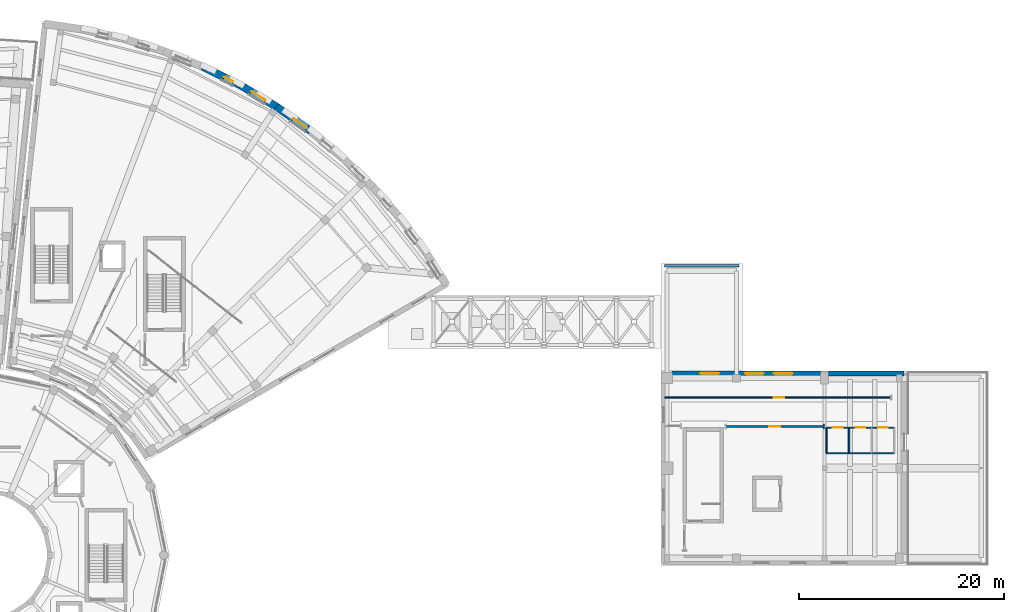
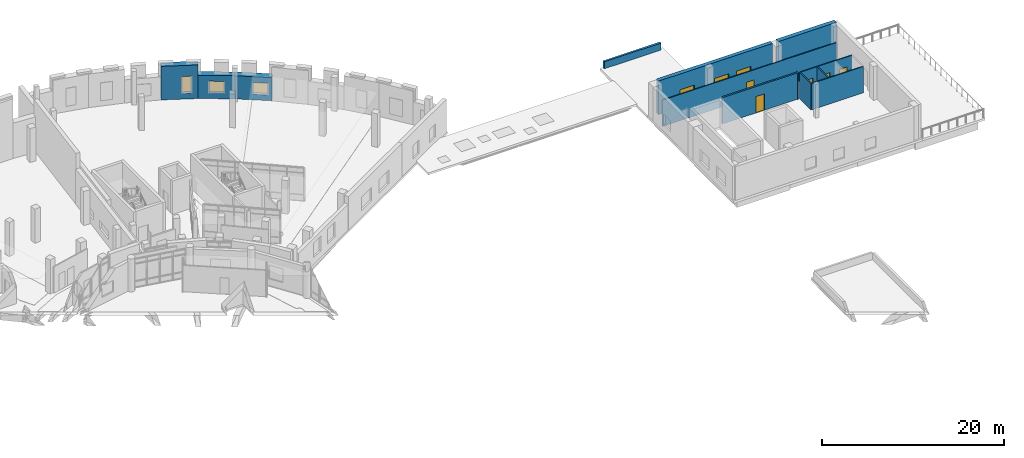
# One storey, part 39 of 49: 13 walls, 6 windows, 5 doors, 11 openings.
"""IFC4 building model written with IfcOpenShell, lengths in metres."""

from ifc_helpers import new_model, si_unit, direction, frame, frame_2d, origin, place, context, subcontext, project, spatial, rectangle, extrude, material, layer, layer_set, type_object, element, fill, save


model = new_model("IFC4")

# Units and contexts
model_context = context("Model", 3, precision=1e-05, world=origin(), true_north=direction((0.0, 1.0)))
body_context = subcontext(model_context, "Body", "Model", "MODEL_VIEW")
ifc_project = project(units=[si_unit("LENGTHUNIT", "METRE"), si_unit("AREAUNIT", "SQUARE_METRE"), si_unit("VOLUMEUNIT", "CUBIC_METRE"), si_unit("PLANEANGLEUNIT", "RADIAN"), si_unit("MASSUNIT", "GRAM", prefix="KILO")], contexts=[model_context])

# Site, building, storey
site_placement = place(None, origin())
site = spatial("IfcSite", under=ifc_project, at=site_placement, CompositionType="ELEMENT")
building_placement = place(site_placement, origin())
building = spatial("IfcBuilding", under=site, at=building_placement, Name="Soyqirgoq Riverine Aquarium", CompositionType="ELEMENT")
storey_placement = place(building_placement, frame((0.0, 0.0, 15.0)))
storey = spatial("IfcBuildingStorey", under=building, at=storey_placement, Name="L04", CompositionType="ELEMENT", Elevation=15.0)

# Wall
ifc_material_1 = material(Name="Precast concrete C40/50", Category="concrete")
ifc_layer_1 = layer(ifc_material_1, 0.260009765625)
ifc_layer_set_1 = layer_set([ifc_layer_1], Name="Precast concrete C40/50")
wall_type_1 = type_object("IfcWallType", Name="ParapetWall_260", PredefinedType="PARAPET", material=ifc_layer_set_1)
wall_1_placement = place(storey_placement, frame((122.3798828125, 85.280029296875, 0.0), z_axis=(0.0, 0.0, 1.0), x_axis=(1.0, 0.0, 0.0)))
element("IfcWall", 1, at=wall_1_placement, inside=storey, type_object=wall_type_1, Name="L04 Roof Parapet Upstand 005", PredefinedType="PARAPET", context=body_context, shape_type="SweptSolid", body=[
    extrude(rectangle(XDim=7.240234375, YDim=0.260009765625, at=frame_2d((3.6201171875, 0.0))), origin(), (0.0, 0.0, 1.0), 0.949951171875),
])

# Wall, opening, door
ifc_material_2 = material(Name="Lightweight steel-stud gypsum partition", Category="steel")
ifc_layer_2 = layer(ifc_material_2, 0.1201171875)
ifc_layer_set_2 = layer_set([ifc_layer_2], Name="Lightweight steel-stud gypsum partition")
wall_type_2 = type_object("IfcWallType", Name="PartitionWall_120_Std", PredefinedType="PARTITIONING", material=ifc_layer_set_2)
wall_2_placement = place(storey_placement, frame((144.5, 72.39990234375, 0.0), z_axis=(0.0, 0.0, 1.0), x_axis=(-1.0, 0.0, 0.0)))
wall_2 = element("IfcWall", 2, at=wall_2_placement, inside=storey, type_object=wall_type_2, Name="Environmental Plant Corridor Partition Wall", PredefinedType="PARTITIONING", context=body_context, shape_type="SweptSolid", body=[
    extrude(rectangle(XDim=22.1298828125, YDim=0.1201171875, at=frame_2d((11.06494140625, 0.0))), origin(), (0.0, 0.0, 1.0), 3.550048828125),
])
opening_1_placement = place(wall_2_placement, frame((10.449951171875, 0.0, 0.0)))
opening_1 = element("IfcOpeningElement", 3, at=opening_1_placement, cuts=wall_2, Name="Opening ID-03", PredefinedType="OPENING", context=body_context, shape_type="SweptSolid", body=[
    extrude(rectangle(XDim=1.0, YDim=2.199951171875, at=frame_2d((0.5, 1.10009765625))), frame((0.0, 0.070068359375, 0.0), z_axis=(0.0, -1.0, 0.0), x_axis=(1.0, 0.0, 0.0)), (0.0, 0.0, 1.0), 0.14013671875),
])
ifc_material_3 = material(Name="Solid-core ash veneer room door", Category="wood")
door_type_1 = type_object("IfcDoorType", Name="RoomDoor_1000x2200", OperationType="NOTDEFINED", PredefinedType="DOOR", material=ifc_material_3)
door_1_placement = place(opening_1_placement, origin())
door_1 = element("IfcDoor", 4, at=door_1_placement, inside=storey, type_object=door_type_1, Name="IDR-V7-L04-0242 Environmental Plant Corridor Door", OperationType="SINGLE_SWING_RIGHT", OverallHeight=2.199951171875, OverallWidth=1.0, PredefinedType="DOOR", context=body_context, shape_type="SweptSolid", body=[
    extrude(rectangle(XDim=1.0, YDim=2.199951171875, at=frame_2d((0.5, 1.10009765625))), frame((0.0, 0.02490234375, 0.0), z_axis=(0.0, -1.0, 0.0), x_axis=(1.0, 0.0, 0.0)), (0.0, 0.0, 1.0), 0.050048828125),
])
fill(opening_1, door_1)

# Wall
wall_3_placement = place(storey_placement, frame((137.919921875, 69.780029296875, 0.0), z_axis=(0.0, 0.0, 1.0), x_axis=(0.0, -1.0, 0.0)))
element("IfcWall", 5, at=wall_3_placement, inside=storey, type_object=wall_type_2, Name="V7 L04 Jamb Return Pier", PredefinedType="PARTITIONING", context=body_context, shape_type="SweptSolid", body=[
    extrude(rectangle(XDim=0.43994140625, YDim=0.1201171875, at=frame_2d((0.219970703125, 0.0))), origin(), (0.0, 0.0, 1.0), 3.550048828125),
])

# Wall, openings, doors
ifc_material_4 = material(Name="Moisture-resistant cement-board wet-room partition", Category="gypsum")
ifc_layer_3 = layer(ifc_material_4, 0.125)
ifc_layer_set_3 = layer_set([ifc_layer_3], Name="Moisture-resistant cement-board wet-room partition")
wall_type_3 = type_object("IfcWallType", Name="PartitionWall_125_Wet", PredefinedType="PARTITIONING", material=ifc_layer_set_3)
wall_4_placement = place(storey_placement, frame((138.199951171875, 69.449951171875, 0.0), z_axis=(0.0, 0.0, 1.0), x_axis=(1.0, 0.0, 0.0)))
wall_4 = element("IfcWall", 6, at=wall_4_placement, inside=storey, type_object=wall_type_3, Name="V7 L04 WC Suite Front Wall", PredefinedType="PARTITIONING", context=body_context, shape_type="SweptSolid", body=[
    extrude(rectangle(XDim=6.60009765625, YDim=0.125, at=frame_2d((3.300048828125, 0.0))), origin(), (0.0, 0.0, 1.0), 3.550048828125),
])
opening_2_placement = place(wall_4_placement, frame((0.60009765625, 0.0, 0.0)))
opening_2 = element("IfcOpeningElement", 7, at=opening_2_placement, cuts=wall_4, Name="Opening ID-05", PredefinedType="OPENING", context=body_context, shape_type="SweptSolid", body=[
    extrude(rectangle(XDim=1.0, YDim=2.199951171875, at=frame_2d((0.5, 1.10009765625))), frame((0.0, 0.072509765625, 0.0), z_axis=(0.0, -1.0, 0.0), x_axis=(1.0, 0.0, 0.0)), (0.0, 0.0, 1.0), 0.14501953125),
])
opening_3_placement = place(wall_4_placement, frame((2.824951171875, 0.0, 0.0)))
opening_3 = element("IfcOpeningElement", 8, at=opening_3_placement, cuts=wall_4, Name="Opening ID-06", PredefinedType="OPENING", context=body_context, shape_type="SweptSolid", body=[
    extrude(rectangle(XDim=0.949951171875, YDim=2.199951171875, at=frame_2d((0.47509765625, 1.10009765625))), frame((0.0, 0.072509765625, 0.0), z_axis=(0.0, -1.0, 0.0), x_axis=(1.0, 0.0, 0.0)), (0.0, 0.0, 1.0), 0.14501953125),
])
opening_4_placement = place(wall_4_placement, frame((5.02490234375, 0.0, 0.0)))
opening_4 = element("IfcOpeningElement", 9, at=opening_4_placement, cuts=wall_4, Name="Opening ID-06", PredefinedType="OPENING", context=body_context, shape_type="SweptSolid", body=[
    extrude(rectangle(XDim=0.949951171875, YDim=2.199951171875, at=frame_2d((0.47509765625, 1.10009765625))), frame((0.0, 0.072509765625, 0.0), z_axis=(0.0, -1.0, 0.0), x_axis=(1.0, 0.0, 0.0)), (0.0, 0.0, 1.0), 0.14501953125),
])
ifc_material_5 = material(Name="Moisture-resistant HPL accessible washroom door", Category="wood")
door_type_2 = type_object("IfcDoorType", Name="AccessibleWCDoor_1000x2200", OperationType="NOTDEFINED", PredefinedType="DOOR", material=ifc_material_5)
door_2_placement = place(opening_2_placement, origin())
door_2 = element("IfcDoor", 10, at=door_2_placement, inside=storey, type_object=door_type_2, Name="IDR-V7-L04-0238 Accessible WC Door", OperationType="SINGLE_SWING_LEFT", OverallHeight=2.199951171875, OverallWidth=1.0, PredefinedType="DOOR", context=body_context, shape_type="SweptSolid", body=[
    extrude(rectangle(XDim=1.0, YDim=2.199951171875, at=frame_2d((0.5, 1.10009765625))), frame((0.0, 0.02490234375, 0.0), z_axis=(0.0, -1.0, 0.0), x_axis=(1.0, 0.0, 0.0)), (0.0, 0.0, 1.0), 0.050048828125),
])
fill(opening_2, door_2)
ifc_material_6 = material(Name="Moisture-resistant HPL washroom door", Category="wood")
door_type_3 = type_object("IfcDoorType", Name="WCDoor_950x2200", OperationType="NOTDEFINED", PredefinedType="DOOR", material=ifc_material_6)
door_3_placement = place(opening_3_placement, origin())
door_3 = element("IfcDoor", 11, at=door_3_placement, inside=storey, type_object=door_type_3, Name="IDR-V7-L04-0239 Public Female WC Door", OperationType="SINGLE_SWING_RIGHT", OverallHeight=2.199951171875, OverallWidth=0.949951171875, PredefinedType="DOOR", context=body_context, shape_type="SweptSolid", body=[
    extrude(rectangle(XDim=0.949951171875, YDim=2.199951171875, at=frame_2d((0.47509765625, 1.10009765625))), frame((0.0, 0.02490234375, 0.0), z_axis=(0.0, -1.0, 0.0), x_axis=(1.0, 0.0, 0.0)), (0.0, 0.0, 1.0), 0.050048828125),
])
fill(opening_3, door_3)
door_4_placement = place(opening_4_placement, origin())
door_4 = element("IfcDoor", 12, at=door_4_placement, inside=storey, type_object=door_type_3, Name="IDR-V7-L04-0240 Public Male WC Door", OperationType="SINGLE_SWING_LEFT", OverallHeight=2.199951171875, OverallWidth=0.949951171875, PredefinedType="DOOR", context=body_context, shape_type="SweptSolid", body=[
    extrude(rectangle(XDim=0.949951171875, YDim=2.199951171875, at=frame_2d((0.47509765625, 1.10009765625))), frame((0.0, 0.02490234375, 0.0), z_axis=(0.0, -1.0, 0.0), x_axis=(1.0, 0.0, 0.0)), (0.0, 0.0, 1.0), 0.050048828125),
])
fill(opening_4, door_4)

# Walls
wall_5_placement = place(storey_placement, frame((138.199951171875, 66.949951171875, 0.0), z_axis=(0.0, 0.0, 1.0), x_axis=(1.0, 0.0, 0.0)))
element("IfcWall", 13, at=wall_5_placement, inside=storey, type_object=wall_type_3, Name="V7 L04 WC Suite Back Wall", PredefinedType="PARTITIONING", context=body_context, shape_type="SweptSolid", body=[
    extrude(rectangle(XDim=6.60009765625, YDim=0.125, at=frame_2d((3.300048828125, 0.0))), origin(), (0.0, 0.0, 1.0), 3.550048828125),
])
for number, where, z_axis, x_axis, name in (
    (14, (138.199951171875, 66.949951171875, 0.0), (0.0, 0.0, 1.0), (0.0, 1.0, 0.0), "V7 L04 WC Suite West Wall"),
    (15, (140.39990234375, 66.949951171875, 0.0), (0.0, 0.0, 1.0), (0.0, 1.0, 0.0), "V7 L04 WC Cubicle Divider 1"),
):
    element("IfcWall", number, at=place(storey_placement, frame(where, z_axis=z_axis, x_axis=x_axis)), inside=storey, type_object=wall_type_3, Name=name, PredefinedType="PARTITIONING", context=body_context, shape_type="SweptSolid", body=[
        extrude(rectangle(XDim=2.5, YDim=0.125, at=frame_2d((1.25, 0.0))), origin(), (0.0, 0.0, 1.0), 3.550048828125),
    ])

# Wall, opening, door
ifc_material_7 = material(Name="Fire-rated masonry shaft wall", Category="masonry")
ifc_layer_4 = layer(ifc_material_7, 0.219970703125)
ifc_layer_set_4 = layer_set([ifc_layer_4], Name="Fire-rated masonry shaft wall")
wall_type_4 = type_object("IfcWallType", Name="RiserShaftWall_220_EI120", PredefinedType="SOLIDWALL", material=ifc_layer_set_4)
wall_6_placement = place(storey_placement, frame((137.919921875, 69.56005859375, 0.0), z_axis=(0.0, 0.0, 1.0), x_axis=(-1.0, 0.0, 0.0)))
wall_6 = element("IfcWall", 16, at=wall_6_placement, inside=storey, type_object=wall_type_4, Name="Air Handling and Heat Recovery Plant Partition Wall", PredefinedType="SOLIDWALL", context=body_context, shape_type="SweptSolid", body=[
    extrude(rectangle(XDim=9.56982421875, YDim=0.219970703125, at=frame_2d((4.784912109375, 0.0))), origin(), (0.0, 0.0, 1.0), 3.550048828125),
])
opening_5_placement = place(wall_6_placement, frame((4.235107421875, 0.0, 0.0)))
opening_5 = element("IfcOpeningElement", 17, at=opening_5_placement, cuts=wall_6, Name="Opening ID-04", PredefinedType="OPENING", context=body_context, shape_type="SweptSolid", body=[
    extrude(rectangle(XDim=1.10009765625, YDim=2.199951171875, at=frame_2d((0.550048828125, 1.10009765625))), frame((0.0, 0.1201171875, 0.0), z_axis=(0.0, -1.0, 0.0), x_axis=(1.0, 0.0, 0.0)), (0.0, 0.0, 1.0), 0.239990234375),
])
ifc_material_8 = material(Name="Chemical-resistant HPL fire-rated laboratory door", Category="wood")
door_type_4 = type_object("IfcDoorType", Name="LabDoor_1100x2200_EI60", OperationType="NOTDEFINED", PredefinedType="DOOR", material=ifc_material_8)
door_5_placement = place(opening_5_placement, origin())
door_5 = element("IfcDoor", 18, at=door_5_placement, inside=storey, type_object=door_type_4, Name="IDR-V7-L04-0244 Environmental Plant Corridor Door", OperationType="SINGLE_SWING_RIGHT", OverallHeight=2.199951171875, OverallWidth=1.10009765625, PredefinedType="DOOR", context=body_context, shape_type="SweptSolid", body=[
    extrude(rectangle(XDim=1.10009765625, YDim=2.199951171875, at=frame_2d((0.550048828125, 1.10009765625))), frame((0.0, 0.02490234375, 0.0), z_axis=(0.0, -1.0, 0.0), x_axis=(1.0, 0.0, 0.0)), (0.0, 0.0, 1.0), 0.050048828125),
])
fill(opening_5, door_5)

# Wall, openings, windows
ifc_material_9 = material(Name="Honed travertine limestone cavity wall", Category="masonry")
ifc_layer_5 = layer(ifc_material_9, 0.47998046875)
ifc_layer_set_5 = layer_set([ifc_layer_5], Name="Honed travertine limestone cavity wall")
wall_type_5 = type_object("IfcWallType", Name="TravertineCavityWall_480", PredefinedType="SOLIDWALL", material=ifc_layer_set_5)
wall_7_placement = place(storey_placement, frame((123.1201171875, 74.75, 0.0), z_axis=(0.0, 0.0, 1.0), x_axis=(1.0, 0.0, 0.0)))
wall_7 = element("IfcWall", 19, at=wall_7_placement, inside=storey, type_object=wall_type_5, Name="V7 L04 Exterior Travertine Wall 0396", PredefinedType="SOLIDWALL", context=body_context, shape_type="SweptSolid", body=[
    extrude(rectangle(XDim=14.509765625, YDim=0.47998046875, at=frame_2d((7.2548828125, 0.0))), origin(), (0.0, 0.0, 1.0), 4.5400390625),
])
opening_6_placement = place(wall_7_placement, frame((2.72998046875, 0.0, 0.89990234375)))
opening_6 = element("IfcOpeningElement", 20, at=opening_6_placement, cuts=wall_7, Name="Opening WN-16", PredefinedType="OPENING", context=body_context, shape_type="SweptSolid", body=[
    extrude(rectangle(XDim=1.85009765625, YDim=1.5, at=frame_2d((0.925048828125, 0.75))), frame((0.0, 0.25, 0.0), z_axis=(0.0, -1.0, 0.0), x_axis=(1.0, 0.0, 0.0)), (0.0, 0.0, 1.0), 0.5),
])
opening_7_placement = place(wall_7_placement, frame((7.110107421875, 0.0, 0.89990234375)))
opening_7 = element("IfcOpeningElement", 21, at=opening_7_placement, cuts=wall_7, Name="Opening WN-16", PredefinedType="OPENING", context=body_context, shape_type="SweptSolid", body=[
    extrude(rectangle(XDim=1.85009765625, YDim=1.5, at=frame_2d((0.925048828125, 0.75))), frame((0.0, 0.25, 0.0), z_axis=(0.0, -1.0, 0.0), x_axis=(1.0, 0.0, 0.0)), (0.0, 0.0, 1.0), 0.5),
])
opening_8_placement = place(wall_7_placement, frame((9.929931640625, 0.0, 0.89990234375)))
opening_8 = element("IfcOpeningElement", 22, at=opening_8_placement, cuts=wall_7, Name="Opening WN-16", PredefinedType="OPENING", context=body_context, shape_type="SweptSolid", body=[
    extrude(rectangle(XDim=1.85009765625, YDim=1.5, at=frame_2d((0.925048828125, 0.75))), frame((0.0, 0.25, 0.0), z_axis=(0.0, -1.0, 0.0), x_axis=(1.0, 0.0, 0.0)), (0.0, 0.0, 1.0), 0.5),
])
ifc_material_10 = material(Name="Thermally broken aluminium triple low-E window", Category="aluminium")
window_type_1 = type_object("IfcWindowType", Name="Win_Lab_1850x1500", PartitioningType="DOUBLE_PANEL_VERTICAL", PredefinedType="WINDOW", material=ifc_material_10)
window_1_placement = place(opening_6_placement, origin())
window_1 = element("IfcWindow", 23, at=window_1_placement, inside=storey, type_object=window_type_1, Name="V7 L04 Facade Window 0364", OverallHeight=1.5, OverallWidth=1.85009765625, PartitioningType="DOUBLE_PANEL_VERTICAL", PredefinedType="WINDOW", context=body_context, shape_type="SweptSolid", body=[
    extrude(rectangle(XDim=1.85009765625, YDim=1.5, at=frame_2d((0.925048828125, 0.75))), frame((0.0, 0.030029296875, 0.0), z_axis=(0.0, -1.0, 0.0), x_axis=(1.0, 0.0, 0.0)), (0.0, 0.0, 1.0), 0.06005859375),
])
fill(opening_6, window_1)
window_2_placement = place(opening_7_placement, origin())
window_2 = element("IfcWindow", 24, at=window_2_placement, inside=storey, type_object=window_type_1, Name="V7 L04 Facade Window 0365", OverallHeight=1.5, OverallWidth=1.85009765625, PartitioningType="DOUBLE_PANEL_VERTICAL", PredefinedType="WINDOW", context=body_context, shape_type="SweptSolid", body=[
    extrude(rectangle(XDim=1.85009765625, YDim=1.5, at=frame_2d((0.925048828125, 0.75))), frame((0.0, 0.030029296875, 0.0), z_axis=(0.0, -1.0, 0.0), x_axis=(1.0, 0.0, 0.0)), (0.0, 0.0, 1.0), 0.06005859375),
])
fill(opening_7, window_2)
window_3_placement = place(opening_8_placement, origin())
window_3 = element("IfcWindow", 25, at=window_3_placement, inside=storey, type_object=window_type_1, Name="V7 L04 Facade Window 0366", OverallHeight=1.5, OverallWidth=1.85009765625, PartitioningType="DOUBLE_PANEL_VERTICAL", PredefinedType="WINDOW", context=body_context, shape_type="SweptSolid", body=[
    extrude(rectangle(XDim=1.85009765625, YDim=1.5, at=frame_2d((0.925048828125, 0.75))), frame((0.0, 0.030029296875, 0.0), z_axis=(0.0, -1.0, 0.0), x_axis=(1.0, 0.0, 0.0)), (0.0, 0.0, 1.0), 0.06005859375),
])
fill(opening_8, window_3)

# Wall
ifc_material_11 = material(Name="Honed travertine limestone cavity wall", Category="masonry")
ifc_layer_6 = layer(ifc_material_11, 0.52001953125)
ifc_layer_set_6 = layer_set([ifc_layer_6], Name="Honed travertine limestone cavity wall")
wall_type_6 = type_object("IfcWallType", Name="TravertineCavityWall_520", PredefinedType="SOLIDWALL", material=ifc_layer_set_6)
wall_8_placement = place(storey_placement, frame((138.3701171875, 74.75, 0.0), z_axis=(0.0, 0.0, 1.0), x_axis=(1.0, 0.0, 0.0)))
element("IfcWall", 26, at=wall_8_placement, inside=storey, type_object=wall_type_6, Name="V7 L04 Exterior Travertine Wall 0397", PredefinedType="SOLIDWALL", context=body_context, shape_type="SweptSolid", body=[
    extrude(rectangle(XDim=7.3798828125, YDim=0.52001953125, at=frame_2d((3.68994140625, 0.0))), origin(), (0.0, 0.0, 1.0), 4.5400390625),
])

# Wall, opening, window
ifc_material_12 = material(Name="Honed travertine limestone cavity wall", Category="masonry")
ifc_layer_7 = layer(ifc_material_12, 0.75)
ifc_layer_set_7 = layer_set([ifc_layer_7], Name="Honed travertine limestone cavity wall")
wall_type_7 = type_object("IfcWallType", Name="TravertineNicheWall_750", PredefinedType="SOLIDWALL", material=ifc_layer_set_7)
wall_9_placement = place(storey_placement, frame((77.251953125, 104.732421875, 0.0), z_axis=(0.0, 0.0, 1.0), x_axis=(0.896877337999, -0.442279369385, 0.0)))
wall_9 = element("IfcWall", 27, at=wall_9_placement, inside=storey, type_object=wall_type_7, Name="V5 L04 Exterior Travertine Wall 0310", PredefinedType="SOLIDWALL", context=body_context, shape_type="SweptSolid", body=[
    extrude(rectangle(XDim=4.1025390625, YDim=0.75, at=frame_2d((2.05126953125, 0.0))), origin(), (0.0, 0.0, 1.0), 4.52001953125),
])
opening_9_placement = place(wall_9_placement, frame((2.331298828125, 0.0, 0.75)))
opening_9 = element("IfcOpeningElement", 28, at=opening_9_placement, cuts=wall_9, Name="Opening WN-11", PredefinedType="OPENING", context=body_context, shape_type="SweptSolid", body=[
    extrude(rectangle(XDim=1.0, YDim=2.300048828125, at=frame_2d((0.5, 1.14990234375))), frame((0.0, 0.385009765625, 0.0), z_axis=(0.0, -1.0, 0.0), x_axis=(1.0, 0.0, 0.0)), (0.0, 0.0, 1.0), 0.77001953125),
])
ifc_material_13 = material(Name="Thermally broken aluminium triple low-E window", Category="aluminium")
window_type_2 = type_object("IfcWindowType", Name="Win_Niche_1000x2300", PartitioningType="SINGLE_PANEL", PredefinedType="WINDOW", material=ifc_material_13)
window_4_placement = place(opening_9_placement, origin())
window_4 = element("IfcWindow", 29, at=window_4_placement, inside=storey, type_object=window_type_2, Name="V5 L04 Facade Window 0254", OverallHeight=2.300048828125, OverallWidth=1.0, PartitioningType="SINGLE_PANEL", PredefinedType="WINDOW", context=body_context, shape_type="SweptSolid", body=[
    extrude(rectangle(XDim=1.0, YDim=2.300048828125, at=frame_2d((0.5, 1.14990234375))), frame((0.0, 0.030029296875, 0.0), z_axis=(0.0, -1.0, 0.0), x_axis=(1.0, 0.0, 0.0)), (0.0, 0.0, 1.0), 0.06005859375),
])
fill(opening_9, window_4)

wall_10_placement = place(storey_placement, frame((80.931396484375, 102.91796875, 0.0), z_axis=(0.0, 0.0, 1.0), x_axis=(0.859408689216, -0.511289257564, 0.0)))
wall_10 = element("IfcWall", 30, at=wall_10_placement, inside=storey, type_object=wall_type_7, Name="V5 L04 Exterior Travertine Wall 0311", PredefinedType="SOLIDWALL", context=body_context, shape_type="SweptSolid", body=[
    extrude(rectangle(XDim=4.102783203125, YDim=0.75, at=frame_2d((2.05126953125, 0.0))), origin(), (0.0, 0.0, 1.0), 3.110107421875),
])
opening_10_placement = place(wall_10_placement, frame((1.251220703125, 0.0, 0.75)))
opening_10 = element("IfcOpeningElement", 31, at=opening_10_placement, cuts=wall_10, Name="Opening WN-06", PredefinedType="OPENING", context=body_context, shape_type="SweptSolid", body=[
    extrude(rectangle(XDim=1.60009765625, YDim=1.60009765625, at=frame_2d((0.800048828125, 0.800048828125))), frame((0.0, 0.385009765625, 0.0), z_axis=(0.0, -1.0, 0.0), x_axis=(1.0, 0.0, 0.0)), (0.0, 0.0, 1.0), 0.77001953125),
])
ifc_material_14 = material(Name="Thermally broken aluminium triple low-E window", Category="aluminium")
window_type_3 = type_object("IfcWindowType", Name="Win_Lab_1600x1600", PartitioningType="DOUBLE_PANEL_VERTICAL", PredefinedType="WINDOW", material=ifc_material_14)
window_5_placement = place(opening_10_placement, origin())
window_5 = element("IfcWindow", 32, at=window_5_placement, inside=storey, type_object=window_type_3, Name="V5 L04 Facade Window 0255", OverallHeight=1.60009765625, OverallWidth=1.60009765625, PartitioningType="DOUBLE_PANEL_VERTICAL", PredefinedType="WINDOW", context=body_context, shape_type="SweptSolid", body=[
    extrude(rectangle(XDim=1.60009765625, YDim=1.60009765625, at=frame_2d((0.800048828125, 0.800048828125))), frame((0.0, 0.030029296875, 0.0), z_axis=(0.0, -1.0, 0.0), x_axis=(1.0, 0.0, 0.0)), (0.0, 0.0, 1.0), 0.06005859375),
])
fill(opening_10, window_5)

wall_11_placement = place(storey_placement, frame((84.457275390625, 100.8203125, 0.0), z_axis=(0.0, 0.0, 1.0), x_axis=(0.816654387976, -0.577127031596, 0.0)))
wall_11 = element("IfcWall", 33, at=wall_11_placement, inside=storey, type_object=wall_type_7, Name="V5 L04 Exterior Travertine Wall 0312", PredefinedType="SOLIDWALL", context=body_context, shape_type="SweptSolid", body=[
    extrude(rectangle(XDim=4.1025390625, YDim=0.75, at=frame_2d((2.05126953125, 0.0))), origin(), (0.0, 0.0, 1.0), 3.110107421875),
])
opening_11_placement = place(wall_11_placement, frame((2.031494140625, 0.0, 0.75)))
opening_11 = element("IfcOpeningElement", 34, at=opening_11_placement, cuts=wall_11, Name="Opening WN-06", PredefinedType="OPENING", context=body_context, shape_type="SweptSolid", body=[
    extrude(rectangle(XDim=1.60009765625, YDim=1.60009765625, at=frame_2d((0.800048828125, 0.800048828125))), frame((0.0, 0.385009765625, 0.0), z_axis=(0.0, -1.0, 0.0), x_axis=(1.0, 0.0, 0.0)), (0.0, 0.0, 1.0), 0.77001953125),
])
window_6_placement = place(opening_11_placement, origin())
window_6 = element("IfcWindow", 35, at=window_6_placement, inside=storey, type_object=window_type_3, Name="V5 L04 Facade Window 0256", OverallHeight=1.60009765625, OverallWidth=1.60009765625, PartitioningType="DOUBLE_PANEL_VERTICAL", PredefinedType="WINDOW", context=body_context, shape_type="SweptSolid", body=[
    extrude(rectangle(XDim=1.60009765625, YDim=1.60009765625, at=frame_2d((0.800048828125, 0.800048828125))), frame((0.0, 0.030029296875, 0.0), z_axis=(0.0, -1.0, 0.0), x_axis=(1.0, 0.0, 0.0)), (0.0, 0.0, 1.0), 0.06005859375),
])
fill(opening_11, window_6)

save(model, "model.ifc")
